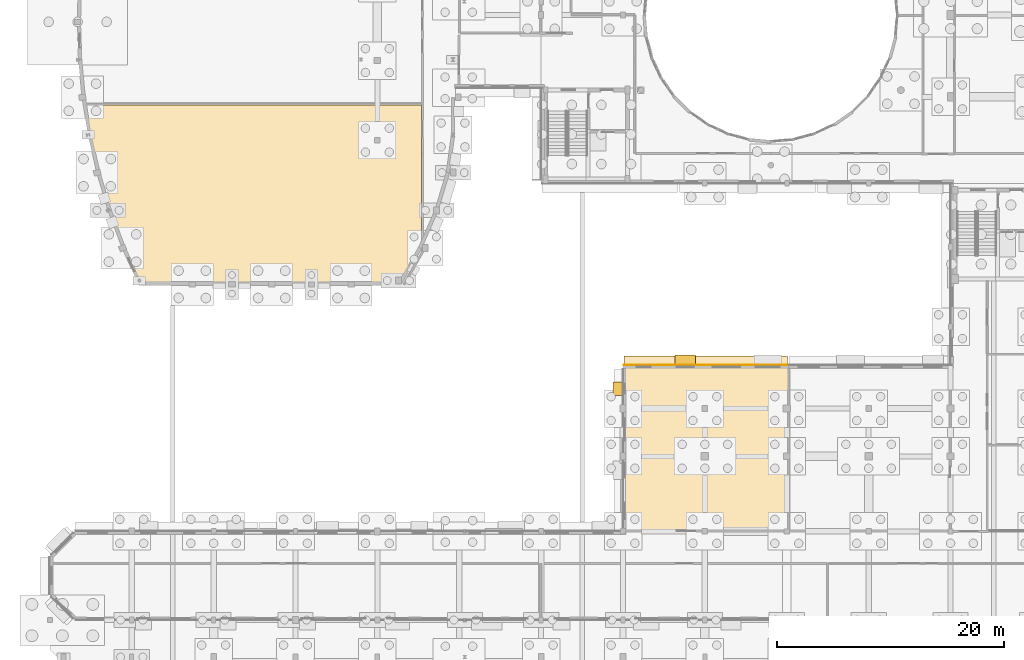
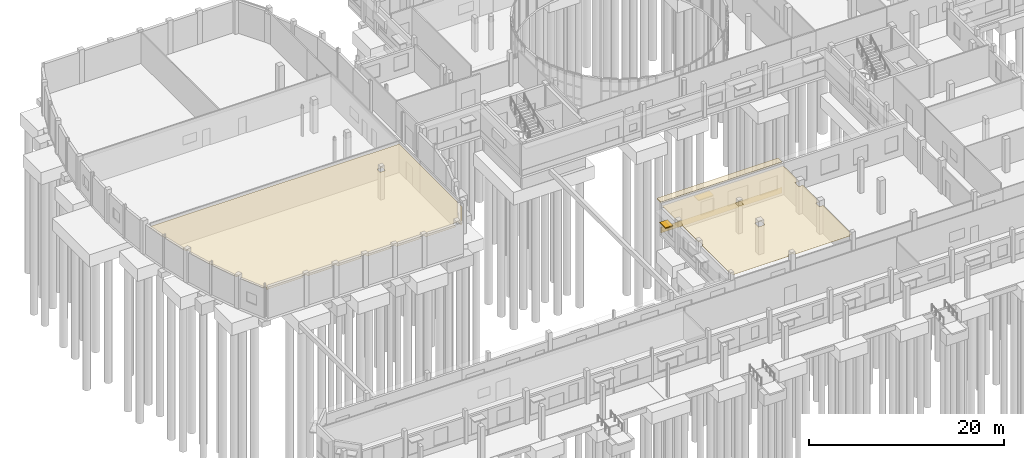
# One storey, part 79 of 93: 4 coverings, 2 shading devices.
"""IFC4 building model written with IfcOpenShell, lengths in metres."""

import ifcopenshell
import ifcopenshell.guid

model = None  # the IFC model being written
_history = None  # IfcOwnerHistory: only IFC2X3 demands one
_inside = {}  # id of a spatial element -> (the spatial element, [elements in it])
_under = {}  # id of a project, library or spatial element -> (it, [spatial elements below it])
_declared = {}  # id of a project -> (the project, [libraries it declares])
_typed = {}  # id of a type object -> (the type object, [elements of that type])
_made_of = {}  # id of a material, layer set ... -> (it, [elements and type objects made of it])


def new_model(schema):
    """Start an empty IFC model of exactly this schema.

    Asked for "IFC4X3", IfcOpenShell would pick the latest addendum, in which some entities
    have other attributes; the version numbers below select the first issue.
    IFC2X3 requires an IfcOwnerHistory on every rooted entity: one is made here for all.
    """
    global model, _history
    if schema == "IFC4X3":
        model = ifcopenshell.file(schema_version=(4, 3, 0, 0))
    else:
        model = ifcopenshell.file(schema=schema)
    _inside.clear()
    _under.clear()
    _declared.clear()
    _typed.clear()
    _made_of.clear()
    _history = None
    if model.schema == "IFC2X3":
        org = make("IfcOrganization", Name="unknown")
        user = make(
            "IfcPersonAndOrganization",
            ThePerson=make("IfcPerson", FamilyName="unknown"),
            TheOrganization=org,
        )
        app = make(
            "IfcApplication",
            ApplicationDeveloper=org,
            Version="unknown",
            ApplicationFullName="unknown",
            ApplicationIdentifier="unknown",
        )
        _history = make(
            "IfcOwnerHistory",
            OwningUser=user,
            OwningApplication=app,
            ChangeAction="ADDED",
            CreationDate=0,
        )
    return model


def make(cls, **values):
    """One entity of the class cls with the attributes given. An attribute that is None is left unset."""
    return model.create_entity(
        cls, **{name: value for name, value in values.items() if value is not None}
    )


def rooted(cls, **values):
    """An entity with a GlobalId (a new one), such as an element, a storey or a relation."""
    return make(cls, GlobalId=ifcopenshell.guid.new(), OwnerHistory=_history, **values)


def si_unit(unit_type, name, prefix=None):
    """IfcSIUnit, for example si_unit("LENGTHUNIT", "METRE", prefix="MILLI")."""
    return make("IfcSIUnit", UnitType=unit_type, Prefix=prefix, Name=name)


def assignment(units):
    """IfcUnitAssignment: the units of a project."""
    return None if units is None else make("IfcUnitAssignment", Units=units)


def point(xyz):
    """IfcCartesianPoint."""
    return None if xyz is None else make("IfcCartesianPoint", Coordinates=xyz)


def direction(xyz):
    """IfcDirection."""
    return None if xyz is None else make("IfcDirection", DirectionRatios=xyz)


def frame(location, z_axis=None, x_axis=None):
    """IfcAxis2Placement3D, a coordinate frame: its origin and axes. An axis left out is left unset."""
    return make(
        "IfcAxis2Placement3D",
        Location=point(location),
        Axis=direction(z_axis),
        RefDirection=direction(x_axis),
    )


def frame_2d(location, x_axis=None):
    """IfcAxis2Placement2D, a coordinate frame in the plane: its origin and x axis."""
    return make(
        "IfcAxis2Placement2D", Location=point(location), RefDirection=direction(x_axis)
    )


def origin():
    """The frame at (0, 0, 0) with its axes left unset."""
    return frame((0.0, 0.0, 0.0))


def origin_2d():
    """The frame at (0, 0) in the plane with its x axis left unset."""
    return frame_2d((0.0, 0.0))


def place(relative_to, where):
    """IfcLocalPlacement: puts the frame where relative to a parent placement (None: the world)."""
    return make(
        "IfcLocalPlacement", PlacementRelTo=relative_to, RelativePlacement=where
    )


def context(
    kind, dimensions, precision=None, world=None, true_north=None, identifier=None
):
    """IfcGeometricRepresentationContext, for example the 3D "Model" context."""
    return make(
        "IfcGeometricRepresentationContext",
        ContextIdentifier=identifier,
        ContextType=kind,
        CoordinateSpaceDimension=dimensions,
        Precision=precision,
        WorldCoordinateSystem=world,
        TrueNorth=true_north,
    )


def subcontext(parent, identifier, kind, view, scale=None):
    """IfcGeometricRepresentationSubContext, for example "Body" below "Model"."""
    return make(
        "IfcGeometricRepresentationSubContext",
        ContextIdentifier=identifier,
        ContextType=kind,
        ParentContext=parent,
        TargetScale=scale,
        TargetView=view,
    )


def project(units=None, contexts=None):
    """IfcProject with its units and contexts."""
    return rooted(
        "IfcProject",
        Name="project",
        RepresentationContexts=contexts,
        UnitsInContext=assignment(units),
    )


def spatial(cls, under=None, at=None, **own):
    """A site, building, storey or space (cls), placed at a placement, below another one or the project."""
    s = rooted(cls, ObjectPlacement=at, **own)
    if under is not None:
        _under.setdefault(under.id(), (under, []))[1].append(s)
    return s


def polyline(points):
    """IfcPolyline through the points."""
    return make("IfcPolyline", Points=[point(p) for p in points])


def profile(cls, at=None, kind="AREA", **sizes):
    """A parametric profile (cls). Its sizes go by their IFC names, for example OverallWidth=200.0."""
    return make(cls, ProfileType=kind, Position=at, **sizes)


def rectangle(**sizes):
    """IfcRectangleProfileDef."""
    return profile("IfcRectangleProfileDef", **sizes)


def outline(outer, holes=None, kind="AREA"):
    """IfcArbitraryClosedProfileDef: a profile drawn as a closed curve; with holes, ...WithVoids."""
    if holes is None:
        return make("IfcArbitraryClosedProfileDef", ProfileType=kind, OuterCurve=outer)
    return make(
        "IfcArbitraryProfileDefWithVoids",
        ProfileType=kind,
        OuterCurve=outer,
        InnerCurves=holes,
    )


def extrude(swept, where, along, depth):
    """IfcExtrudedAreaSolid: the profile swept, set in the frame where, extruded along a direction by depth."""
    return make(
        "IfcExtrudedAreaSolid",
        SweptArea=swept,
        Position=where,
        ExtrudedDirection=direction(along),
        Depth=depth,
    )


def shape(context_of_items, identifier, shape_type, items):
    """IfcShapeRepresentation: the items that make up one representation, for example the "Body"."""
    return make(
        "IfcShapeRepresentation",
        ContextOfItems=context_of_items,
        RepresentationIdentifier=identifier,
        RepresentationType=shape_type,
        Items=items,
    )


def material(Name=None, Category=None):
    """IfcMaterial."""
    return make("IfcMaterial", Name=Name, Category=Category)


def layer(
    of_material, thickness, ventilated=None, Name=None, Category=None, Priority=None
):
    """IfcMaterialLayer: one layer of a wall or slab, of a material (None: an air gap)."""
    return make(
        "IfcMaterialLayer",
        Material=of_material,
        LayerThickness=thickness,
        IsVentilated=ventilated,
        Name=Name,
        Category=Category,
        Priority=Priority,
    )


def layer_set(layers, Name=None):
    """IfcMaterialLayerSet."""
    return make("IfcMaterialLayerSet", MaterialLayers=layers, LayerSetName=Name)


def made_of(thing, what):
    """Note that an element or type object is made of a material, layer set ...; save() writes the relation."""
    if what is not None:
        _made_of.setdefault(what.id(), (what, []))[1].append(thing)
    return thing


def type_object(cls, material=None, **own):
    """A type object (cls), such as IfcWallType, which elements share."""
    return made_of(rooted(cls, **own), material)


def element(
    cls,
    number,
    at=None,
    inside=None,
    cuts=None,
    type_object=None,
    material=None,
    context=None,
    identifier="Body",
    shape_type=None,
    held_by="IfcProductDefinitionShape",
    body=None,
    shapes=None,
    **own,
):
    """One element of the class cls, such as IfcWall. Its Tag is "e" and its number.

    at: its placement. inside: the storey or other place that contains it. cuts: it is an
    opening in that element (IfcRelVoidsElement). A single representation is given by context,
    identifier, shape_type and body (its items); several are given by shapes. held_by: the class
    of the entity that holds the representations. save() writes the other relations.
    """
    e = rooted(cls, Tag="e%d" % number, ObjectPlacement=at, **own)
    if body is not None:
        shapes = [shape(context, identifier, shape_type, body)]
    if shapes is not None:
        e.Representation = make(held_by, Representations=shapes)
    if inside is not None:
        _inside.setdefault(inside.id(), (inside, []))[1].append(e)
    if cuts is not None:
        rooted(
            "IfcRelVoidsElement", RelatingBuildingElement=cuts, RelatedOpeningElement=e
        )
    if type_object is not None:
        _typed.setdefault(type_object.id(), (type_object, []))[1].append(e)
    return made_of(e, material)


def aggregate(whole, parts):
    """IfcRelAggregates: a whole, such as a stair, and the parts it consists of."""
    return rooted("IfcRelAggregates", RelatingObject=whole, RelatedObjects=parts)


def save(model, path):
    """Write the relations noted so far, then the file.

    IfcRelAggregates (storeys below a building ...), IfcRelContainedInSpatialStructure (elements
    in a storey), IfcRelDefinesByType, IfcRelAssociatesMaterial and IfcRelDeclares: one each for
    every whole, place, type object, material and project.
    """
    for whole, parts in _under.values():
        aggregate(whole, parts)
    for where, things in _inside.values():
        rooted(
            "IfcRelContainedInSpatialStructure",
            RelatedElements=things,
            RelatingStructure=where,
        )
    for kind, things in _typed.values():
        rooted("IfcRelDefinesByType", RelatedObjects=things, RelatingType=kind)
    for what, things in _made_of.values():
        rooted("IfcRelAssociatesMaterial", RelatedObjects=things, RelatingMaterial=what)
    for by, libraries in _declared.values():
        rooted("IfcRelDeclares", RelatingContext=by, RelatedDefinitions=libraries)
    model.write(path)


model = new_model("IFC4")

# Units and contexts
model_context = context("Model", 3, precision=1e-05, world=origin(), true_north=direction((0.0, 1.0)))
body_context = subcontext(model_context, "Body", "Model", "MODEL_VIEW")
ifc_project = project(units=[si_unit("LENGTHUNIT", "METRE"), si_unit("AREAUNIT", "SQUARE_METRE"), si_unit("VOLUMEUNIT", "CUBIC_METRE"), si_unit("PLANEANGLEUNIT", "RADIAN"), si_unit("MASSUNIT", "GRAM", prefix="KILO")], contexts=[model_context])

# Site, building, storey
site_placement = place(None, origin())
site = spatial("IfcSite", under=ifc_project, at=site_placement, CompositionType="ELEMENT")
building_placement = place(site_placement, origin())
building = spatial("IfcBuilding", under=site, at=building_placement, Name="Kelanivale Promenade Academy", CompositionType="ELEMENT")
storey_placement = place(building_placement, origin())
storey = spatial("IfcBuildingStorey", under=building, at=storey_placement, Name="L00", CompositionType="ELEMENT", Elevation=0.0)

# Coverings
ifc_material_1 = material(Name="Warm ivory Art Deco stucco frieze band 40 mm", Category="masonry")
ifc_layer_1 = layer(ifc_material_1, 0.0400390625)
ifc_layer_set_1 = layer_set([ifc_layer_1], Name="Warm ivory Art Deco stucco frieze band 40 mm")
covering_type_1 = type_object("IfcCoveringType", Name="COV-CLD2 Warm ivory Art Deco stucco frieze ba", PredefinedType="CLADDING", material=ifc_layer_set_1)
covering_1_placement = place(storey_placement, frame((57.669921875, 26.39990234375, 3.81982421875), z_axis=(0.0, 0.0, 1.0), x_axis=(-1.0, 0.0, 0.0)))
element("IfcCovering", 1, at=covering_1_placement, inside=storey, type_object=covering_type_1, Name="Art Deco projecting 820 mm streamline sunshade eyebrow ledge", PredefinedType="CLADDING", context=body_context, shape_type="SweptSolid", body=[
    extrude(rectangle(XDim=14.3798828125, YDim=0.820068359375, at=origin_2d()), origin(), (0.0, 0.0, 1.0), 0.139892578125),
])
covering_2_placement = place(storey_placement, frame((57.669921875, 26.014892578125, 0.06005859375), z_axis=(0.0, 0.0, 1.0), x_axis=(-1.0, 0.0, 0.0)))
element("IfcCovering", 2, at=covering_2_placement, inside=storey, type_object=covering_type_1, Name="Art Deco ivory stucco sill frieze band", PredefinedType="CLADDING", context=body_context, shape_type="SweptSolid", body=[
    extrude(rectangle(XDim=14.3798828125, YDim=0.0400390625, at=origin_2d()), origin(), (0.0, 0.0, 1.0), 0.719970703125),
])
ifc_material_2 = material(Name="Acoustic mineral-fibre ceiling tile 25 mm", Category="gypsum")
ifc_layer_2 = layer(ifc_material_2, 0.02490234375)
ifc_layer_set_2 = layer_set([ifc_layer_2], Name="Acoustic mineral-fibre ceiling tile 25 mm")
covering_type_2 = type_object("IfcCoveringType", Name="COV-CLG1 Acoustic mineral-fibre ceiling tile ", PredefinedType="CEILING", material=ifc_layer_set_2)
covering_3_placement = place(storey_placement, frame((0.0, 0.0, 3.550048828125)))
element("IfcCovering", 3, at=covering_3_placement, inside=storey, type_object=covering_type_2, Name="Dance Movement Studio acoustic suspended ceiling", PredefinedType="CEILING", context=body_context, shape_type="SweptSolid", body=[
    extrude(outline(polyline([(4.18994140625, 43.302978515625), (4.427978515625, 43.302978515625), (4.431884765625, 43.302978515625), (4.43603515625, 43.302001953125), (4.43994140625, 43.301025390625), (4.443115234375, 43.300048828125), (4.447021484375, 43.298095703125), (4.449951171875, 43.2958984375), (4.452880859375, 43.2939453125), (4.4560546875, 43.291015625), (4.458984375, 43.2880859375), (4.4609375, 43.284912109375), (4.462890625, 43.281982421875), (4.465087890625, 43.278076171875), (4.466064453125, 43.27490234375), (4.467041015625, 43.27099609375), (4.468017578125, 43.26708984375), (4.468017578125, 43.262939453125), (4.468017578125, 42.623046875), (4.468017578125, 42.618896484375), (4.467041015625, 42.614990234375), (4.466064453125, 42.611083984375), (4.465087890625, 42.60791015625), (4.462890625, 42.60400390625), (4.4609375, 42.60107421875), (4.458984375, 42.597900390625), (4.4560546875, 42.594970703125), (4.452880859375, 42.592041015625), (4.449951171875, 42.590087890625), (4.447021484375, 42.587890625), (4.443115234375, 42.5859375), (4.43994140625, 42.5849609375), (4.43603515625, 42.583984375), (4.431884765625, 42.5830078125), (4.427978515625, 42.5830078125), (4.383056640625, 42.5830078125), (5.2099609375, 39.819091796875), (5.259033203125, 39.819091796875), (5.262939453125, 39.819091796875), (5.26708984375, 39.818115234375), (5.27099609375, 39.81689453125), (5.27392578125, 39.81591796875), (5.278076171875, 39.81396484375), (5.281005859375, 39.81201171875), (5.284912109375, 39.81005859375), (5.287109375, 39.806884765625), (5.2900390625, 39.804931640625), (5.2919921875, 39.801025390625), (5.2939453125, 39.798095703125), (5.2958984375, 39.7939453125), (5.297119140625, 39.791015625), (5.298095703125, 39.787109375), (5.299072265625, 39.782958984375), (5.299072265625, 39.779052734375), (5.299072265625, 39.552978515625), (6.37890625, 36.674072265625), (6.6630859375, 36.674072265625), (6.6669921875, 36.674072265625), (6.6708984375, 36.673095703125), (6.675048828125, 36.672119140625), (6.677978515625, 36.6708984375), (6.681884765625, 36.6689453125), (6.68505859375, 36.6669921875), (6.68798828125, 36.6650390625), (6.69091796875, 36.662109375), (6.694091796875, 36.658935546875), (6.696044921875, 36.656005859375), (6.697998046875, 36.653076171875), (6.699951171875, 36.64892578125), (6.700927734375, 36.64599609375), (6.701904296875, 36.64208984375), (6.702880859375, 36.637939453125), (6.702880859375, 36.634033203125), (6.702880859375, 35.993896484375), (6.702880859375, 35.989990234375), (6.701904296875, 35.986083984375), (6.700927734375, 35.98193359375), (6.699951171875, 35.97900390625), (6.697998046875, 35.97509765625), (6.696044921875, 35.971923828125), (6.694091796875, 35.968994140625), (6.69091796875, 35.966064453125), (6.68798828125, 35.962890625), (6.68505859375, 35.9609375), (6.681884765625, 35.958984375), (6.679931640625, 35.9580078125), (7.7451171875, 33.6201171875), (7.991943359375, 33.6201171875), (7.9951171875, 33.618896484375), (7.9990234375, 33.618896484375), (8.0029296875, 33.617919921875), (8.007080078125, 33.616943359375), (8.010009765625, 33.614990234375), (8.013916015625, 33.613037109375), (8.01708984375, 33.610107421875), (8.02001953125, 33.60791015625), (8.02197265625, 33.60498046875), (8.02490234375, 33.60205078125), (8.027099609375, 33.597900390625), (8.029052734375, 33.594970703125), (8.030029296875, 33.591064453125), (8.031005859375, 33.5869140625), (8.031005859375, 33.5830078125), (8.031982421875, 33.580078125), (8.031982421875, 33.320068359375), (8.031005859375, 33.31689453125), (8.031005859375, 33.31298828125), (8.030029296875, 33.30908203125), (8.029052734375, 33.304931640625), (8.027099609375, 33.302001953125), (8.02490234375, 33.298095703125), (8.02197265625, 33.294921875), (8.02001953125, 33.2919921875), (8.01708984375, 33.2900390625), (8.013916015625, 33.287109375), (8.010009765625, 33.284912109375), (8.007080078125, 33.282958984375), (8.0029296875, 33.281982421875), (7.9990234375, 33.281005859375), (7.9951171875, 33.281005859375), (7.991943359375, 33.280029296875), (7.89892578125, 33.280029296875), (7.9580078125, 33.14990234375), (12.235107421875, 33.14990234375), (12.235107421875, 33.4150390625), (12.235107421875, 33.4189453125), (12.236083984375, 33.423095703125), (12.237060546875, 33.427001953125), (12.238037109375, 33.429931640625), (12.239990234375, 33.43408203125), (12.241943359375, 33.43701171875), (12.243896484375, 33.43994140625), (12.2470703125, 33.443115234375), (12.25, 33.446044921875), (12.2529296875, 33.447998046875), (12.256103515625, 33.449951171875), (12.260009765625, 33.451904296875), (12.262939453125, 33.452880859375), (12.26708984375, 33.4541015625), (12.27099609375, 33.455078125), (12.27490234375, 33.455078125), (12.764892578125, 33.455078125), (12.76904296875, 33.455078125), (12.77294921875, 33.4541015625), (12.777099609375, 33.452880859375), (12.780029296875, 33.451904296875), (12.783935546875, 33.449951171875), (12.787109375, 33.447998046875), (12.7900390625, 33.446044921875), (12.79296875, 33.443115234375), (12.7958984375, 33.43994140625), (12.798095703125, 33.43701171875), (12.800048828125, 33.43408203125), (12.802001953125, 33.429931640625), (12.802978515625, 33.427001953125), (12.803955078125, 33.423095703125), (12.804931640625, 33.4189453125), (12.804931640625, 33.4150390625), (12.804931640625, 33.14990234375), (15.702880859375, 33.14990234375), (15.702880859375, 33.43994140625), (15.702880859375, 33.444091796875), (15.7041015625, 33.447998046875), (15.705078125, 33.451904296875), (15.7060546875, 33.455078125), (15.7080078125, 33.458984375), (15.7099609375, 33.4619140625), (15.7119140625, 33.465087890625), (15.715087890625, 33.468017578125), (15.718017578125, 33.470947265625), (15.720947265625, 33.472900390625), (15.72412109375, 33.47509765625), (15.72802734375, 33.47705078125), (15.73095703125, 33.47802734375), (15.735107421875, 33.47900390625), (15.739013671875, 33.47998046875), (15.742919921875, 33.47998046875), (16.282958984375, 33.47998046875), (16.287109375, 33.47998046875), (16.291015625, 33.47900390625), (16.294921875, 33.47802734375), (16.298095703125, 33.47705078125), (16.302001953125, 33.47509765625), (16.304931640625, 33.472900390625), (16.30810546875, 33.470947265625), (16.31103515625, 33.468017578125), (16.31396484375, 33.465087890625), (16.31591796875, 33.4619140625), (16.318115234375, 33.458984375), (16.320068359375, 33.455078125), (16.321044921875, 33.451904296875), (16.322021484375, 33.447998046875), (16.322998046875, 33.444091796875), (16.322998046875, 33.43994140625), (16.322998046875, 33.14990234375), (19.196044921875, 33.14990234375), (19.196044921875, 33.43994140625), (19.196044921875, 33.444091796875), (19.197021484375, 33.447998046875), (19.197998046875, 33.451904296875), (19.198974609375, 33.455078125), (19.200927734375, 33.458984375), (19.202880859375, 33.4619140625), (19.205078125, 33.465087890625), (19.2080078125, 33.468017578125), (19.2109375, 33.470947265625), (19.214111328125, 33.472900390625), (19.217041015625, 33.47509765625), (19.220947265625, 33.47705078125), (19.22412109375, 33.47802734375), (19.22802734375, 33.47900390625), (19.23193359375, 33.47998046875), (19.236083984375, 33.47998046875), (19.77587890625, 33.47998046875), (19.780029296875, 33.47998046875), (19.783935546875, 33.47900390625), (19.7880859375, 33.47802734375), (19.791015625, 33.47705078125), (19.794921875, 33.47509765625), (19.798095703125, 33.472900390625), (19.801025390625, 33.470947265625), (19.803955078125, 33.468017578125), (19.806884765625, 33.465087890625), (19.80908203125, 33.4619140625), (19.81103515625, 33.458984375), (19.81298828125, 33.455078125), (19.81396484375, 33.451904296875), (19.81494140625, 33.447998046875), (19.81591796875, 33.444091796875), (19.81591796875, 33.43994140625), (19.81591796875, 33.14990234375), (22.714111328125, 33.14990234375), (22.714111328125, 33.4150390625), (22.714111328125, 33.4189453125), (22.715087890625, 33.423095703125), (22.716064453125, 33.427001953125), (22.717041015625, 33.429931640625), (22.718994140625, 33.43408203125), (22.720947265625, 33.43701171875), (22.722900390625, 33.43994140625), (22.72607421875, 33.443115234375), (22.72900390625, 33.446044921875), (22.73193359375, 33.447998046875), (22.735107421875, 33.449951171875), (22.739013671875, 33.451904296875), (22.741943359375, 33.452880859375), (22.74609375, 33.4541015625), (22.75, 33.455078125), (22.75390625, 33.455078125), (23.243896484375, 33.455078125), (23.248046875, 33.455078125), (23.251953125, 33.4541015625), (23.256103515625, 33.452880859375), (23.259033203125, 33.451904296875), (23.262939453125, 33.449951171875), (23.26611328125, 33.447998046875), (23.26904296875, 33.446044921875), (23.27197265625, 33.443115234375), (23.27490234375, 33.43994140625), (23.277099609375, 33.43701171875), (23.279052734375, 33.43408203125), (23.281005859375, 33.429931640625), (23.281982421875, 33.427001953125), (23.282958984375, 33.423095703125), (23.283935546875, 33.4189453125), (23.283935546875, 33.4150390625), (23.283935546875, 33.14990234375), (26.20703125, 33.14990234375), (26.20703125, 33.4150390625), (26.20703125, 33.4189453125), (26.2080078125, 33.423095703125), (26.208984375, 33.427001953125), (26.2099609375, 33.429931640625), (26.2119140625, 33.43408203125), (26.214111328125, 33.43701171875), (26.216064453125, 33.43994140625), (26.218994140625, 33.443115234375), (26.221923828125, 33.446044921875), (26.22509765625, 33.447998046875), (26.22802734375, 33.449951171875), (26.23193359375, 33.451904296875), (26.235107421875, 33.452880859375), (26.239013671875, 33.4541015625), (26.242919921875, 33.455078125), (26.2470703125, 33.455078125), (26.737060546875, 33.455078125), (26.740966796875, 33.455078125), (26.7451171875, 33.4541015625), (26.7490234375, 33.452880859375), (26.751953125, 33.451904296875), (26.756103515625, 33.449951171875), (26.759033203125, 33.447998046875), (26.761962890625, 33.446044921875), (26.764892578125, 33.443115234375), (26.76806640625, 33.43994140625), (26.77001953125, 33.43701171875), (26.77197265625, 33.43408203125), (26.77392578125, 33.429931640625), (26.77490234375, 33.427001953125), (26.77587890625, 33.423095703125), (26.777099609375, 33.4189453125), (26.777099609375, 33.4150390625), (26.777099609375, 33.14990234375), (30.340087890625, 33.14990234375), (30.340087890625, 33.77001953125), (30.340087890625, 33.77392578125), (30.341064453125, 33.778076171875), (30.342041015625, 33.781982421875), (30.343017578125, 33.784912109375), (30.344970703125, 33.7890625), (30.346923828125, 33.7919921875), (30.34912109375, 33.794921875), (30.35205078125, 33.798095703125), (30.35498046875, 33.801025390625), (30.35791015625, 33.802978515625), (30.361083984375, 33.804931640625), (30.364990234375, 33.806884765625), (30.367919921875, 33.80810546875), (30.3720703125, 33.80908203125), (30.3759765625, 33.81005859375), (30.3798828125, 33.81005859375), (30.919921875, 33.81005859375), (30.924072265625, 33.81005859375), (30.927978515625, 33.80908203125), (30.931884765625, 33.80810546875), (30.93505859375, 33.806884765625), (30.93896484375, 33.804931640625), (30.94189453125, 33.802978515625), (30.945068359375, 33.801025390625), (30.947998046875, 33.798095703125), (30.950927734375, 33.794921875), (30.952880859375, 33.7919921875), (30.955078125, 33.7890625), (30.95703125, 33.784912109375), (30.9580078125, 33.781982421875), (30.958984375, 33.778076171875), (30.9599609375, 33.77392578125), (30.9599609375, 33.77001953125), (30.9599609375, 33.14990234375), (31.06298828125, 33.14990234375), (32.68994140625, 35.987060546875), (32.68994140625, 48.889892578125), (3.0859375, 48.889892578125), (3.47998046875, 46.447021484375), (3.507080078125, 46.447021484375), (3.510986328125, 46.447021484375), (3.514892578125, 46.446044921875), (3.51904296875, 46.445068359375), (3.52197265625, 46.444091796875), (3.52587890625, 46.44189453125), (3.529052734375, 46.43994140625), (3.532958984375, 46.43798828125), (3.534912109375, 46.43505859375), (3.5380859375, 46.43310546875), (3.5400390625, 46.428955078125), (3.5419921875, 46.426025390625), (3.5439453125, 46.422119140625), (3.544921875, 46.4189453125), (3.5458984375, 46.4150390625), (3.547119140625, 46.410888671875), (3.547119140625, 46.406982421875), (3.547119140625, 46.10791015625), (4.18994140625, 43.302978515625)]), holes=[polyline([(29.110107421875, 45.530029296875), (29.110107421875, 45.52587890625), (29.10888671875, 45.52197265625), (29.10791015625, 45.51806640625), (29.10693359375, 45.514892578125), (29.10498046875, 45.510986328125), (29.10302734375, 45.508056640625), (29.10107421875, 45.5048828125), (29.097900390625, 45.501953125), (29.094970703125, 45.4990234375), (29.092041015625, 45.4970703125), (29.089111328125, 45.4951171875), (29.0849609375, 45.492919921875), (29.08203125, 45.491943359375), (29.077880859375, 45.490966796875), (29.073974609375, 45.489990234375), (29.070068359375, 45.489990234375), (28.530029296875, 45.489990234375), (28.52587890625, 45.489990234375), (28.52197265625, 45.490966796875), (28.51806640625, 45.491943359375), (28.514892578125, 45.492919921875), (28.510986328125, 45.4951171875), (28.508056640625, 45.4970703125), (28.5048828125, 45.4990234375), (28.501953125, 45.501953125), (28.4990234375, 45.5048828125), (28.4970703125, 45.508056640625), (28.4951171875, 45.510986328125), (28.492919921875, 45.514892578125), (28.491943359375, 45.51806640625), (28.490966796875, 45.52197265625), (28.489990234375, 45.52587890625), (28.489990234375, 45.530029296875), (28.489990234375, 46.070068359375), (28.489990234375, 46.073974609375), (28.490966796875, 46.077880859375), (28.491943359375, 46.08203125), (28.492919921875, 46.0849609375), (28.4951171875, 46.089111328125), (28.4970703125, 46.092041015625), (28.4990234375, 46.094970703125), (28.501953125, 46.097900390625), (28.5048828125, 46.10107421875), (28.508056640625, 46.10302734375), (28.510986328125, 46.10498046875), (28.514892578125, 46.10693359375), (28.51806640625, 46.10791015625), (28.52197265625, 46.10888671875), (28.52587890625, 46.110107421875), (28.530029296875, 46.110107421875), (29.070068359375, 46.110107421875), (29.073974609375, 46.110107421875), (29.077880859375, 46.10888671875), (29.08203125, 46.10791015625), (29.0849609375, 46.10693359375), (29.089111328125, 46.10498046875), (29.092041015625, 46.10302734375), (29.094970703125, 46.10107421875), (29.097900390625, 46.097900390625), (29.10107421875, 46.094970703125), (29.10302734375, 46.092041015625), (29.10498046875, 46.089111328125), (29.10693359375, 46.0849609375), (29.10791015625, 46.08203125), (29.10888671875, 46.077880859375), (29.110107421875, 46.073974609375), (29.110107421875, 46.070068359375), (29.110107421875, 45.530029296875)])]), origin(), (0.0, 0.0, 1.0), 0.02490234375),
])
covering_4_placement = place(storey_placement, frame((0.0, 0.0, 3.550048828125)))
element("IfcCovering", 4, at=covering_4_placement, inside=storey, type_object=covering_type_2, Name="Junior Wellbeing Studio acoustic suspended ceiling", PredefinedType="CEILING", context=body_context, shape_type="SweptSolid", body=[
    extrude(outline(polyline([(50.550048828125, 11.7099609375), (50.6201171875, 11.7099609375), (50.6240234375, 11.7099609375), (50.6279296875, 11.708984375), (50.632080078125, 11.7080078125), (50.635009765625, 11.70703125), (50.638916015625, 11.705078125), (50.64208984375, 11.702880859375), (50.64501953125, 11.700927734375), (50.64794921875, 11.697998046875), (50.65087890625, 11.695068359375), (50.653076171875, 11.69189453125), (50.655029296875, 11.68896484375), (50.656982421875, 11.68505859375), (50.657958984375, 11.681884765625), (50.658935546875, 11.677978515625), (50.659912109375, 11.674072265625), (50.659912109375, 11.669921875), (50.659912109375, 11.510009765625), (57.2900390625, 11.510009765625), (57.2900390625, 11.669921875), (57.2900390625, 11.674072265625), (57.291015625, 11.677978515625), (57.2919921875, 11.681884765625), (57.29296875, 11.68505859375), (57.294921875, 11.68896484375), (57.297119140625, 11.69189453125), (57.299072265625, 11.695068359375), (57.302001953125, 11.697998046875), (57.304931640625, 11.700927734375), (57.30810546875, 11.702880859375), (57.31103515625, 11.705078125), (57.31494140625, 11.70703125), (57.318115234375, 11.7080078125), (57.322021484375, 11.708984375), (57.325927734375, 11.7099609375), (57.330078125, 11.7099609375), (57.8701171875, 11.7099609375), (57.8740234375, 11.7099609375), (57.8779296875, 11.708984375), (57.882080078125, 11.7080078125), (57.885009765625, 11.70703125), (57.888916015625, 11.705078125), (57.89208984375, 11.702880859375), (57.89501953125, 11.700927734375), (57.89794921875, 11.697998046875), (57.90087890625, 11.695068359375), (57.903076171875, 11.69189453125), (57.905029296875, 11.68896484375), (57.906982421875, 11.68505859375), (57.907958984375, 11.681884765625), (57.908935546875, 11.677978515625), (57.909912109375, 11.674072265625), (57.909912109375, 11.669921875), (57.909912109375, 11.510009765625), (64.514892578125, 11.510009765625), (64.514892578125, 11.64501953125), (64.514892578125, 11.64892578125), (64.51611328125, 11.653076171875), (64.51708984375, 11.656982421875), (64.51806640625, 11.659912109375), (64.52001953125, 11.6640625), (64.52197265625, 11.6669921875), (64.52392578125, 11.669921875), (64.527099609375, 11.673095703125), (64.530029296875, 11.676025390625), (64.532958984375, 11.677978515625), (64.535888671875, 11.679931640625), (64.5400390625, 11.681884765625), (64.54296875, 11.68310546875), (64.547119140625, 11.68408203125), (64.551025390625, 11.68505859375), (64.554931640625, 11.68505859375), (64.889892578125, 11.68505859375), (64.889892578125, 17.639892578125), (64.47998046875, 17.639892578125), (64.47607421875, 17.639892578125), (64.471923828125, 17.64111328125), (64.468017578125, 17.64208984375), (64.465087890625, 17.64306640625), (64.4609375, 17.64501953125), (64.4580078125, 17.64697265625), (64.455078125, 17.64892578125), (64.451904296875, 17.652099609375), (64.448974609375, 17.655029296875), (64.447021484375, 17.657958984375), (64.445068359375, 17.660888671875), (64.443115234375, 17.6650390625), (64.44189453125, 17.66796875), (64.44091796875, 17.672119140625), (64.43994140625, 17.676025390625), (64.43994140625, 17.679931640625), (64.43994140625, 18.320068359375), (64.43994140625, 18.323974609375), (64.44091796875, 18.327880859375), (64.44189453125, 18.33203125), (64.443115234375, 18.3349609375), (64.445068359375, 18.339111328125), (64.447021484375, 18.342041015625), (64.448974609375, 18.344970703125), (64.451904296875, 18.347900390625), (64.455078125, 18.35107421875), (64.4580078125, 18.35302734375), (64.4609375, 18.35498046875), (64.465087890625, 18.35693359375), (64.468017578125, 18.35791015625), (64.471923828125, 18.35888671875), (64.47607421875, 18.360107421875), (64.47998046875, 18.360107421875), (64.889892578125, 18.360107421875), (64.889892578125, 21.81494140625), (64.455078125, 21.81494140625), (64.450927734375, 21.81494140625), (64.447021484375, 21.81591796875), (64.443115234375, 21.81689453125), (64.43994140625, 21.818115234375), (64.43603515625, 21.820068359375), (64.43310546875, 21.822021484375), (64.429931640625, 21.823974609375), (64.427001953125, 21.826904296875), (64.424072265625, 21.830078125), (64.422119140625, 21.8330078125), (64.419921875, 21.8359375), (64.41796875, 21.840087890625), (64.4169921875, 21.843017578125), (64.416015625, 21.846923828125), (64.4150390625, 21.85107421875), (64.4150390625, 21.85498046875), (64.4150390625, 22.544921875), (64.4150390625, 22.549072265625), (64.416015625, 22.552978515625), (64.4169921875, 22.556884765625), (64.41796875, 22.56005859375), (64.419921875, 22.56396484375), (64.422119140625, 22.56689453125), (64.424072265625, 22.570068359375), (64.427001953125, 22.572998046875), (64.429931640625, 22.575927734375), (64.43310546875, 22.577880859375), (64.43603515625, 22.580078125), (64.43994140625, 22.58203125), (64.443115234375, 22.5830078125), (64.447021484375, 22.583984375), (64.450927734375, 22.5849609375), (64.455078125, 22.5849609375), (64.889892578125, 22.5849609375), (64.889892578125, 25.85009765625), (50.550048828125, 25.85009765625), (50.550048828125, 22.56005859375), (50.669921875, 22.56005859375), (50.674072265625, 22.56005859375), (50.677978515625, 22.55908203125), (50.681884765625, 22.55810546875), (50.68505859375, 22.556884765625), (50.68896484375, 22.554931640625), (50.69189453125, 22.552978515625), (50.695068359375, 22.551025390625), (50.697998046875, 22.548095703125), (50.700927734375, 22.544921875), (50.702880859375, 22.5419921875), (50.705078125, 22.5390625), (50.70703125, 22.534912109375), (50.7080078125, 22.531982421875), (50.708984375, 22.528076171875), (50.7099609375, 22.52392578125), (50.7099609375, 22.52001953125), (50.7099609375, 21.8798828125), (50.7099609375, 21.8759765625), (50.708984375, 21.8720703125), (50.7080078125, 21.867919921875), (50.70703125, 21.864990234375), (50.705078125, 21.861083984375), (50.702880859375, 21.85791015625), (50.700927734375, 21.85498046875), (50.697998046875, 21.85205078125), (50.695068359375, 21.84912109375), (50.69189453125, 21.846923828125), (50.68896484375, 21.844970703125), (50.68505859375, 21.843017578125), (50.681884765625, 21.842041015625), (50.677978515625, 21.841064453125), (50.674072265625, 21.840087890625), (50.669921875, 21.840087890625), (50.550048828125, 21.840087890625), (50.550048828125, 18.3349609375), (50.64501953125, 18.3349609375), (50.64892578125, 18.3349609375), (50.653076171875, 18.333984375), (50.656982421875, 18.3330078125), (50.659912109375, 18.33203125), (50.6640625, 18.330078125), (50.6669921875, 18.327880859375), (50.669921875, 18.325927734375), (50.673095703125, 18.322998046875), (50.676025390625, 18.320068359375), (50.677978515625, 18.31689453125), (50.679931640625, 18.31396484375), (50.681884765625, 18.31005859375), (50.68310546875, 18.306884765625), (50.68408203125, 18.302978515625), (50.68505859375, 18.299072265625), (50.68505859375, 18.294921875), (50.68505859375, 17.705078125), (50.68505859375, 17.700927734375), (50.68408203125, 17.697021484375), (50.68310546875, 17.693115234375), (50.681884765625, 17.68994140625), (50.679931640625, 17.68603515625), (50.677978515625, 17.68310546875), (50.676025390625, 17.679931640625), (50.673095703125, 17.677001953125), (50.669921875, 17.674072265625), (50.6669921875, 17.672119140625), (50.6640625, 17.669921875), (50.659912109375, 17.66796875), (50.656982421875, 17.6669921875), (50.653076171875, 17.666015625), (50.64892578125, 17.6650390625), (50.64501953125, 17.6650390625), (50.550048828125, 17.6650390625), (50.550048828125, 11.7099609375)]), holes=[polyline([(57.985107421875, 17.655029296875), (57.985107421875, 17.65087890625), (57.98388671875, 17.64697265625), (57.98291015625, 17.64306640625), (57.98193359375, 17.639892578125), (57.97998046875, 17.635986328125), (57.97802734375, 17.633056640625), (57.97607421875, 17.6298828125), (57.972900390625, 17.626953125), (57.969970703125, 17.6240234375), (57.967041015625, 17.6220703125), (57.964111328125, 17.6201171875), (57.9599609375, 17.617919921875), (57.95703125, 17.616943359375), (57.952880859375, 17.615966796875), (57.948974609375, 17.614990234375), (57.945068359375, 17.614990234375), (57.2548828125, 17.614990234375), (57.2509765625, 17.614990234375), (57.2470703125, 17.615966796875), (57.242919921875, 17.616943359375), (57.239990234375, 17.617919921875), (57.236083984375, 17.6201171875), (57.23291015625, 17.6220703125), (57.22998046875, 17.6240234375), (57.22705078125, 17.626953125), (57.22412109375, 17.6298828125), (57.221923828125, 17.633056640625), (57.219970703125, 17.635986328125), (57.218017578125, 17.639892578125), (57.217041015625, 17.64306640625), (57.216064453125, 17.64697265625), (57.215087890625, 17.65087890625), (57.215087890625, 17.655029296875), (57.215087890625, 18.344970703125), (57.215087890625, 18.34912109375), (57.216064453125, 18.35302734375), (57.217041015625, 18.35693359375), (57.218017578125, 18.360107421875), (57.219970703125, 18.364013671875), (57.221923828125, 18.366943359375), (57.22412109375, 18.3701171875), (57.22705078125, 18.373046875), (57.22998046875, 18.3759765625), (57.23291015625, 18.3779296875), (57.236083984375, 18.3798828125), (57.239990234375, 18.382080078125), (57.242919921875, 18.383056640625), (57.2470703125, 18.384033203125), (57.2509765625, 18.385009765625), (57.2548828125, 18.385009765625), (57.945068359375, 18.385009765625), (57.948974609375, 18.385009765625), (57.952880859375, 18.384033203125), (57.95703125, 18.383056640625), (57.9599609375, 18.382080078125), (57.964111328125, 18.3798828125), (57.967041015625, 18.3779296875), (57.969970703125, 18.3759765625), (57.972900390625, 18.373046875), (57.97607421875, 18.3701171875), (57.97802734375, 18.366943359375), (57.97998046875, 18.364013671875), (57.98193359375, 18.360107421875), (57.98291015625, 18.35693359375), (57.98388671875, 18.35302734375), (57.985107421875, 18.34912109375), (57.985107421875, 18.344970703125), (57.985107421875, 17.655029296875)]), polyline([(57.909912109375, 21.929931640625), (57.909912109375, 21.926025390625), (57.908935546875, 21.922119140625), (57.907958984375, 21.91796875), (57.906982421875, 21.9150390625), (57.905029296875, 21.910888671875), (57.903076171875, 21.907958984375), (57.90087890625, 21.905029296875), (57.89794921875, 21.902099609375), (57.89501953125, 21.89892578125), (57.89208984375, 21.89697265625), (57.888916015625, 21.89501953125), (57.885009765625, 21.89306640625), (57.882080078125, 21.89208984375), (57.8779296875, 21.89111328125), (57.8740234375, 21.889892578125), (57.8701171875, 21.889892578125), (57.330078125, 21.889892578125), (57.325927734375, 21.889892578125), (57.322021484375, 21.89111328125), (57.318115234375, 21.89208984375), (57.31494140625, 21.89306640625), (57.31103515625, 21.89501953125), (57.30810546875, 21.89697265625), (57.304931640625, 21.89892578125), (57.302001953125, 21.902099609375), (57.299072265625, 21.905029296875), (57.297119140625, 21.907958984375), (57.294921875, 21.910888671875), (57.29296875, 21.9150390625), (57.2919921875, 21.91796875), (57.291015625, 21.922119140625), (57.2900390625, 21.926025390625), (57.2900390625, 21.929931640625), (57.2900390625, 22.469970703125), (57.2900390625, 22.47412109375), (57.291015625, 22.47802734375), (57.2919921875, 22.48193359375), (57.29296875, 22.485107421875), (57.294921875, 22.489013671875), (57.297119140625, 22.491943359375), (57.299072265625, 22.4951171875), (57.302001953125, 22.498046875), (57.304931640625, 22.5009765625), (57.30810546875, 22.5029296875), (57.31103515625, 22.5048828125), (57.31494140625, 22.507080078125), (57.318115234375, 22.508056640625), (57.322021484375, 22.509033203125), (57.325927734375, 22.510009765625), (57.330078125, 22.510009765625), (57.8701171875, 22.510009765625), (57.8740234375, 22.510009765625), (57.8779296875, 22.509033203125), (57.882080078125, 22.508056640625), (57.885009765625, 22.507080078125), (57.888916015625, 22.5048828125), (57.89208984375, 22.5029296875), (57.89501953125, 22.5009765625), (57.89794921875, 22.498046875), (57.90087890625, 22.4951171875), (57.903076171875, 22.491943359375), (57.905029296875, 22.489013671875), (57.906982421875, 22.485107421875), (57.907958984375, 22.48193359375), (57.908935546875, 22.47802734375), (57.909912109375, 22.47412109375), (57.909912109375, 22.469970703125), (57.909912109375, 21.929931640625)])]), origin(), (0.0, 0.0, 1.0), 0.02490234375),
])

# Shading devices
ifc_material_3 = material(Name="Precast concrete C40/50", Category="concrete")
ifc_layer_3 = layer(ifc_material_3, 0.1201171875)
ifc_layer_set_3 = layer_set([ifc_layer_3], Name="Precast concrete C40/50")
shading_device_type = type_object("IfcShadingDeviceType", Name="SHD-01 Art Deco Sunshade Eyebrow 900mm", PredefinedType="USERDEFINED", material=ifc_layer_set_3)
shading_device_1_placement = place(storey_placement, frame((55.85302734375, 26.43994140625, 2.510009765625), z_axis=(0.0, 0.0, 1.0), x_axis=(-1.0, 0.0, 0.0)))
element("IfcShadingDevice", 5, at=shading_device_1_placement, inside=storey, type_object=shading_device_type, Name="Art Deco 900 mm precast chajja window sunshade", ObjectType="SUNSHADE", PredefinedType="USERDEFINED", context=body_context, shape_type="SweptSolid", body=[
    extrude(rectangle(XDim=1.800048828125, YDim=0.89990234375, at=origin_2d()), origin(), (0.0, 0.0, 1.0), 0.1201171875),
])
shading_device_2_placement = place(storey_placement, frame((49.9599609375, 23.929931640625, 2.56005859375), z_axis=(0.0, 0.0, 1.0), x_axis=(0.0, -1.0, 0.0)))
element("IfcShadingDevice", 6, at=shading_device_2_placement, inside=storey, type_object=shading_device_type, Name="Art Deco 900 mm precast chajja window sunshade", ObjectType="SUNSHADE", PredefinedType="USERDEFINED", context=body_context, shape_type="SweptSolid", body=[
    extrude(rectangle(XDim=1.199951171875, YDim=0.89990234375, at=origin_2d()), origin(), (0.0, 0.0, 1.0), 0.1201171875),
])

save(model, "model.ifc")
